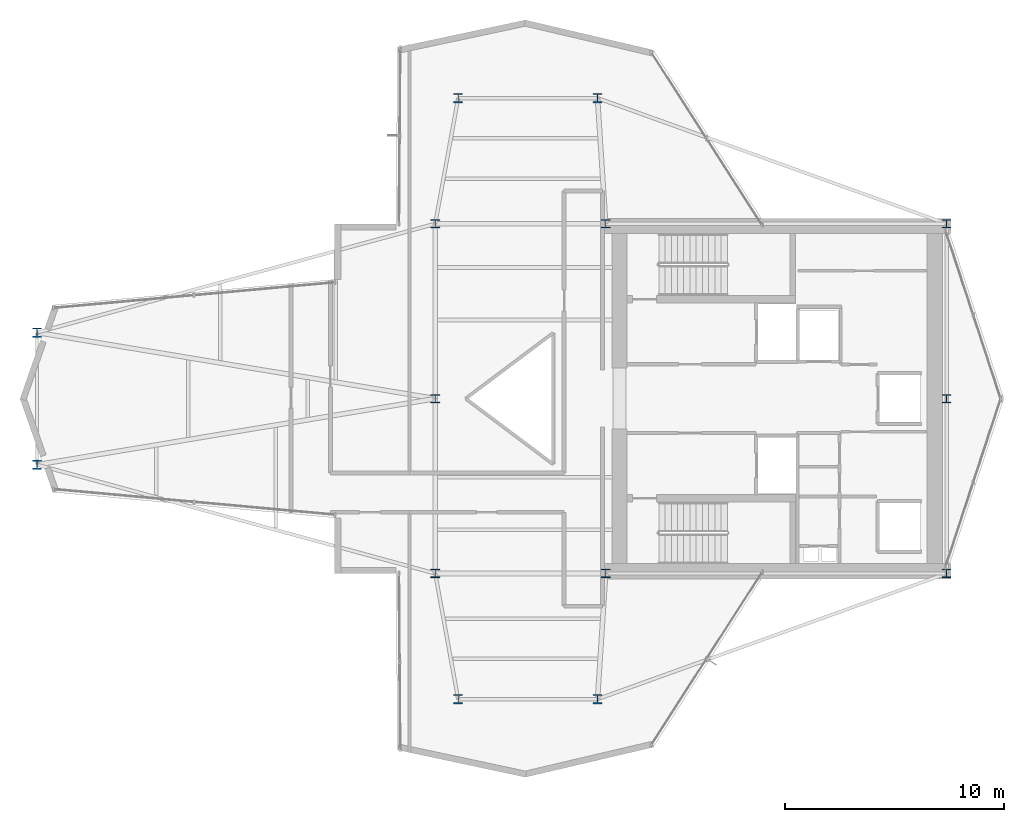
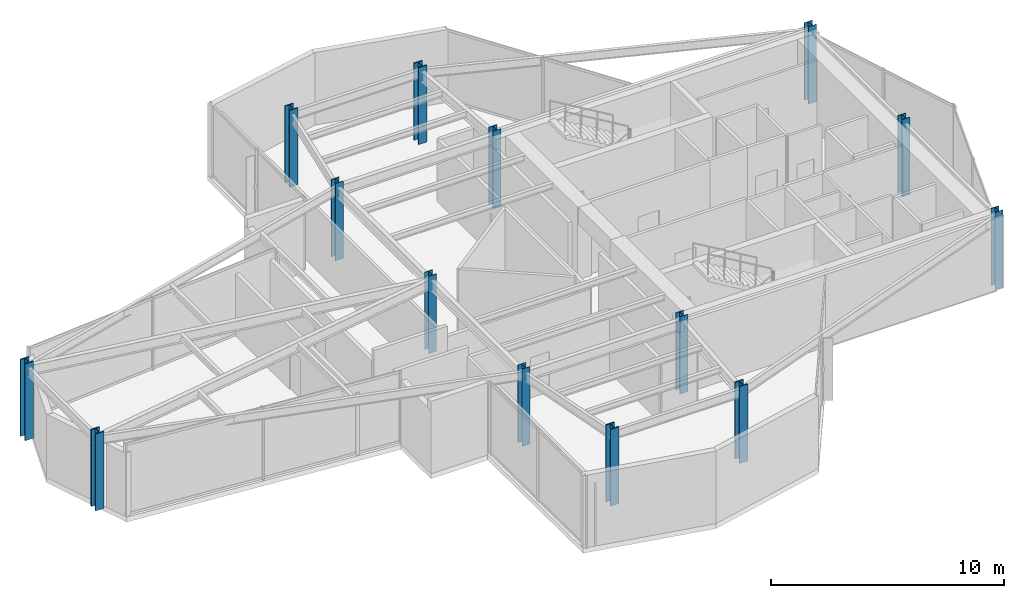
# One storey, part 1 of 23: 14 columns.
"""IFC4 building model written with IfcOpenShell, lengths in metres."""

from ifc_helpers import new_model, si_unit, direction, frame, origin, origin_2d, place, context, subcontext, project, spatial, i_section, extrude, material, material_profile, profile_set, type_object, element, save


model = new_model("IFC4")

# Units and contexts
model_context = context("Model", 3, precision=1e-05, world=origin(), true_north=direction((0.0, 1.0)))
body_context = subcontext(model_context, "Body", "Model", "MODEL_VIEW")
ifc_project = project(units=[si_unit("LENGTHUNIT", "METRE"), si_unit("AREAUNIT", "SQUARE_METRE"), si_unit("VOLUMEUNIT", "CUBIC_METRE"), si_unit("PLANEANGLEUNIT", "RADIAN"), si_unit("MASSUNIT", "GRAM", prefix="KILO")], contexts=[model_context])

# Site, building, storey
site_placement = place(None, origin())
site = spatial("IfcSite", under=ifc_project, at=site_placement, CompositionType="ELEMENT")
building_placement = place(site_placement, origin())
building = spatial("IfcBuilding", under=site, at=building_placement, Name="Veymaron Broadcast Tower", CompositionType="ELEMENT")
storey_placement = place(building_placement, frame((0.0, 0.0, 195.89990234375)))
storey = spatial("IfcBuildingStorey", under=building, at=storey_placement, Name="L45", CompositionType="ELEMENT", Elevation=195.89990234375)

# Columns
ifc_material_1 = material(Name="Structural steel ASTM A992 Gr 50", Category="steel")
ifc_material_profile_1 = material_profile(ifc_material_1, i_section(OverallWidth=0.39404296875, OverallDepth=0.375, WebThickness=0.017333984375, FlangeThickness=0.027587890625, at=origin_2d()), Name="W360X216")
ifc_profile_set_1 = profile_set([ifc_material_profile_1], Name="Structural steel ASTM A992 Gr 50")
column_type_1 = type_object("IfcColumnType", Name="COL-HC3", PredefinedType="COLUMN", material=ifc_profile_set_1)
for number, where, z_axis, x_axis, name in (
    (1, (31.199951171875, 16.0, 0.0), (0.0, 0.0, 1.0), (1.0, 0.0, 0.0), "L45 structural hub and core column"),
    (2, (31.199951171875, 24.0, 0.0), (0.0, 0.0, 1.0), (1.0, 0.0, 0.0), "L45 structural hub and core column"),
    (3, (31.199951171875, 32.0, 0.0), (0.0, 0.0, 1.0), (1.0, 0.0, 0.0), "L45 structural hub and core column"),
    (4, (39.0, 16.0, 0.0), (0.0, 0.0, 1.0), (1.0, 0.0, 0.0), "L45 structural hub and core column"),
    (5, (39.0, 32.0, 0.0), (0.0, 0.0, 1.0), (1.0, 0.0, 0.0), "L45 structural hub and core column"),
    (6, (54.60009765625, 16.0, 0.0), (0.0, 0.0, 1.0), (1.0, 0.0, 0.0), "L45 structural hub and core column"),
    (7, (54.60009765625, 24.0, 0.0), (0.0, 0.0, 1.0), (1.0, 0.0, 0.0), "L45 structural hub and core column"),
    (8, (54.60009765625, 32.0, 0.0), (0.0, 0.0, 1.0), (1.0, 0.0, 0.0), "L45 structural hub and core column"),
):
    element("IfcColumn", number, at=place(storey_placement, frame(where, z_axis=z_axis, x_axis=x_axis)), inside=storey, type_object=column_type_1, Name=name, PredefinedType="COLUMN", context=body_context, shape_type="SweptSolid", body=[
        extrude(i_section(OverallWidth=0.39404296875, OverallDepth=0.375, WebThickness=0.017333984375, FlangeThickness=0.027587890625, at=origin_2d()), origin(), (0.0, 0.0, 1.0), 4.044189453125),
    ])
ifc_material_2 = material(Name="Structural steel ASTM A913 Gr 65", Category="steel")
ifc_material_profile_2 = material_profile(ifc_material_2, i_section(OverallWidth=0.412109375, OverallDepth=0.43505859375, WebThickness=0.035888671875, FlangeThickness=0.05810546875, at=origin_2d()), Name="W360X463")
ifc_profile_set_2 = profile_set([ifc_material_profile_2], Name="Structural steel ASTM A913 Gr 65")
column_type_2 = type_object("IfcColumnType", Name="COL-MC3", PredefinedType="COLUMN", material=ifc_profile_set_2)
for number, where, z_axis, x_axis, name in (
    (9, (12.97509765625, 20.97509765625, 0.01611328125), (0.0, 0.0, 1.0), (1.0, 0.0, 0.0), "L45 Tapered Wing Mega Column"),
    (10, (12.97509765625, 27.02490234375, 0.01611328125), (0.0, 0.0, 1.0), (1.0, 0.0, 0.0), "L45 Tapered Wing Mega Column"),
    (11, (32.25, 37.75, 0.01611328125), (0.0, 0.0, 1.0), (1.0, 0.0, 0.0), "L45 Tapered Wing Mega Column"),
    (12, (38.625, 37.75, 0.01611328125), (0.0, 0.0, 1.0), (1.0, 0.0, 0.0), "L45 Tapered Wing Mega Column"),
    (13, (32.25, 10.25, 0.01611328125), (0.0, 0.0, 1.0), (1.0, 0.0, 0.0), "L45 Tapered Wing Mega Column"),
    (14, (38.625, 10.25, 0.01611328125), (0.0, 0.0, 1.0), (1.0, 0.0, 0.0), "L45 Tapered Wing Mega Column"),
):
    element("IfcColumn", number, at=place(storey_placement, frame(where, z_axis=z_axis, x_axis=x_axis)), inside=storey, type_object=column_type_2, Name=name, PredefinedType="COLUMN", context=body_context, shape_type="SweptSolid", body=[
        extrude(i_section(OverallWidth=0.412109375, OverallDepth=0.43505859375, WebThickness=0.035888671875, FlangeThickness=0.05810546875, at=origin_2d()), origin(), (0.0, 0.0, 1.0), 4.01806640625),
    ])

save(model, "model.ifc")
